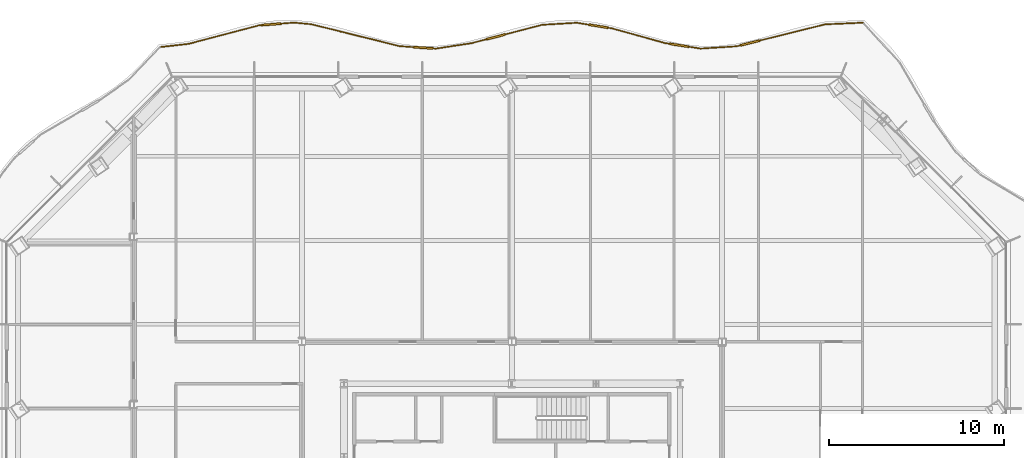
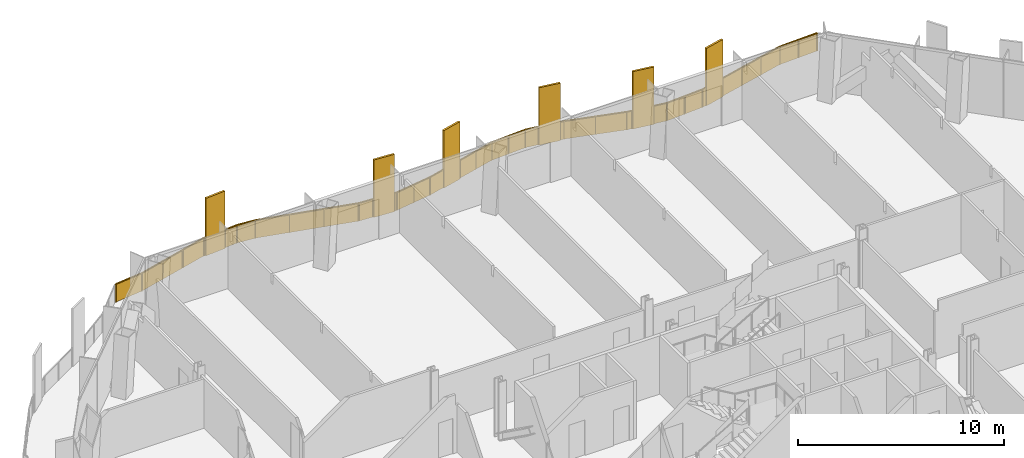
# One storey, part 21 of 22: 1 railing.
"""IFC4 building model written with IfcOpenShell, lengths in metres."""

from ifc_helpers import new_model, si_unit, direction, frame, origin, origin_2d, place, context, subcontext, project, spatial, polyline, rectangle, outline, extrude, material, type_object, element, save


model = new_model("IFC4")

# Units and contexts
model_context = context("Model", 3, precision=1e-05, world=origin(), true_north=direction((0.0, 1.0)))
body_context = subcontext(model_context, "Body", "Model", "MODEL_VIEW")
ifc_project = project(units=[si_unit("LENGTHUNIT", "METRE"), si_unit("AREAUNIT", "SQUARE_METRE"), si_unit("VOLUMEUNIT", "CUBIC_METRE"), si_unit("PLANEANGLEUNIT", "RADIAN"), si_unit("MASSUNIT", "GRAM", prefix="KILO")], contexts=[model_context])

# Site, building, storey
site_placement = place(None, origin())
site = spatial("IfcSite", under=ifc_project, at=site_placement, CompositionType="ELEMENT")
building_placement = place(site_placement, origin())
building = spatial("IfcBuilding", under=site, at=building_placement, Name="Cairn Pilgrim Tower", CompositionType="ELEMENT")
storey_placement = place(building_placement, frame((0.0, 0.0, 112.199951171875)))
storey = spatial("IfcBuildingStorey", under=building, at=storey_placement, Name="L27", CompositionType="ELEMENT", Elevation=112.199951171875)

# Railing
ifc_material = material(Name="Bronze anodised aluminium rail, posts and fin screens with laminated glass infill", Category="aluminium")
railing_type = type_object("IfcRailingType", Name="BALCONY GUARD WITH FIN SCREENS", PredefinedType="GUARDRAIL", material=ifc_material)
railing_placement = place(storey_placement, frame((27.255859375, 31.42626953125, 0.0)))
element("IfcRailing", 1, at=railing_placement, inside=storey, type_object=railing_type, Name="Balcony guard BGF-5 with fin screens", PredefinedType="GUARDRAIL", context=body_context, shape_type="SweptSolid", body=[
    extrude(rectangle(XDim=0.050048828125, YDim=0.050048828125, at=origin_2d()), frame((0.0, 0.0, 1.0751953125), z_axis=(-0.999059131571, -0.043368786296, 0.0), x_axis=(0.043368786296, -0.999059131571, 0.0)), (0.0, 0.0, 1.0), 2.167236328125),
    extrude(rectangle(XDim=1.10009765625, YDim=0.110107421875, at=origin_2d()), frame((-6.455810546875, -1.159423828125, 0.0), z_axis=(0.0, 0.0, 1.0), x_axis=(-0.970522085341, -0.24101220273, 0.0)), (0.0, 0.0, 1.0), 3.39990234375),
    extrude(rectangle(XDim=0.050048828125, YDim=0.050048828125, at=origin_2d()), frame((-2.165283203125, -0.093994140625, 1.0751953125), z_axis=(-0.970522085341, -0.24101220273, 0.0), x_axis=(0.24101220273, -0.970522085341, 0.0)), (0.0, 0.0, 1.0), 3.870849609375),
    extrude(rectangle(XDim=0.050048828125, YDim=0.050048828125, at=origin_2d()), frame((-6.989501953125, -1.2919921875, 1.0751953125), z_axis=(-0.970522085341, -0.24101220273, 0.0), x_axis=(0.24101220273, -0.970522085341, 0.0)), (0.0, 0.0, 1.0), 0.23388671875),
    extrude(rectangle(XDim=0.050048828125, YDim=0.050048828125, at=origin_2d()), frame((-7.216552734375, -1.348388671875, 1.0751953125), z_axis=(-0.997955239955, -0.063916657035, 0.0), x_axis=(0.063916657035, -0.997955239955, 0.0)), (0.0, 0.0, 1.0), 2.054931640625),
    extrude(rectangle(XDim=1.10009765625, YDim=0.110107421875, at=origin_2d()), frame((-10.498291015625, -1.28955078125, 0.0), z_axis=(0.0, 0.0, 1.0), x_axis=(-0.988269221093, 0.152721794906, 0.0)), (0.0, 0.0, 1.0), 3.39990234375),
    extrude(rectangle(XDim=0.050048828125, YDim=0.050048828125, at=origin_2d()), frame((-9.267333984375, -1.479736328125, 1.0751953125), z_axis=(-0.988269221093, 0.152721794906, 0.0), x_axis=(-0.152721794906, -0.988269221093, 0.0)), (0.0, 0.0, 1.0), 0.695556640625),
    extrude(rectangle(XDim=0.050048828125, YDim=0.050048828125, at=origin_2d()), frame((-11.0419921875, -1.20556640625, 1.0751953125), z_axis=(-0.988269221093, 0.152721794906, 0.0), x_axis=(-0.152721794906, -0.988269221093, 0.0)), (0.0, 0.0, 1.0), 0.274658203125),
    extrude(rectangle(XDim=0.050048828125, YDim=0.050048828125, at=origin_2d()), frame((-11.313232421875, -1.16357421875, 1.0751953125), z_axis=(-0.963612338145, 0.267303688293, 0.0), x_axis=(-0.267303688293, -0.963612338145, 0.0)), (0.0, 0.0, 1.0), 3.146484375),
    extrude(rectangle(XDim=1.10009765625, YDim=0.110107421875, at=origin_2d()), frame((-15.11572265625, -0.19970703125, 0.0), z_axis=(0.0, 0.0, 1.0), x_axis=(-0.987543657243, 0.157345241549, 0.0)), (0.0, 0.0, 1.0), 3.39990234375),
    extrude(rectangle(XDim=0.050048828125, YDim=0.050048828125, at=origin_2d()), frame((-14.34521484375, -0.322509765625, 1.0751953125), z_axis=(-0.987543657243, 0.157345241549, 0.0), x_axis=(-0.157345241549, -0.987543657243, 0.0)), (0.0, 0.0, 1.0), 0.230224609375),
    extrude(rectangle(XDim=0.050048828125, YDim=0.050048828125, at=origin_2d()), frame((-15.658935546875, -0.11328125, 1.0751953125), z_axis=(-0.987543657243, 0.157345241549, 0.0), x_axis=(-0.157345241549, -0.987543657243, 0.0)), (0.0, 0.0, 1.0), 0.69140625),
    extrude(rectangle(XDim=0.050048828125, YDim=0.050048828125, at=origin_2d()), frame((-16.341796875, -0.00439453125, 1.0751953125), z_axis=(-0.99830632135, -0.058176359053, 0.0), x_axis=(0.058176359053, -0.99830632135, 0.0)), (0.0, 0.0, 1.0), 1.993408203125),
    extrude(rectangle(XDim=1.10009765625, YDim=0.110107421875, at=origin_2d()), frame((-20.970703125, -0.807861328125, 0.0), z_axis=(0.0, 0.0, 1.0), x_axis=(-0.967701772599, -0.252097757445, 0.0)), (0.0, 0.0, 1.0), 3.39990234375),
    extrude(rectangle(XDim=0.050048828125, YDim=0.050048828125, at=origin_2d()), frame((-18.331787109375, -0.120361328125, 1.0751953125), z_axis=(-0.967701772599, -0.252097757445, 0.0), x_axis=(0.252097757445, -0.967701772599, 0.0)), (0.0, 0.0, 1.0), 2.177001953125),
    extrude(rectangle(XDim=0.050048828125, YDim=0.050048828125, at=origin_2d()), frame((-21.503173828125, -0.946533203125, 1.0751953125), z_axis=(-0.967701772599, -0.252097757445, 0.0), x_axis=(0.252097757445, -0.967701772599, 0.0)), (0.0, 0.0, 1.0), 0.89306640625),
    extrude(rectangle(XDim=0.050048828125, YDim=0.050048828125, at=origin_2d()), frame((-22.3671875, -1.171630859375, 1.0751953125), z_axis=(-0.98873456971, -0.149679493122, 0.0), x_axis=(0.149679493122, -0.98873456971, 0.0)), (0.0, 0.0, 1.0), 2.068115234375),
    extrude(rectangle(XDim=1.10009765625, YDim=0.110107421875, at=origin_2d()), frame((-25.110595703125, -1.43408203125, 0.0), z_axis=(0.0, 0.0, 1.0), x_axis=(-0.99772963034, 0.067346750048, 0.0)), (0.0, 0.0, 1.0), 3.39990234375),
    extrude(rectangle(XDim=0.050048828125, YDim=0.050048828125, at=origin_2d()), frame((-24.412109375, -1.481201171875, 1.0751953125), z_axis=(-0.99772963034, 0.067346750048, 0.0), x_axis=(-0.067346750048, -0.99772963034, 0.0)), (0.0, 0.0, 1.0), 0.150146484375),
    extrude(rectangle(XDim=0.050048828125, YDim=0.050048828125, at=origin_2d()), frame((-25.659423828125, -1.39697265625, 1.0751953125), z_axis=(-0.99772963034, 0.067346750048, 0.0), x_axis=(-0.067346750048, -0.99772963034, 0.0)), (0.0, 0.0, 1.0), 0.805419921875),
    extrude(rectangle(XDim=0.050048828125, YDim=0.050048828125, at=origin_2d()), frame((-26.462890625, -1.3427734375, 1.0751953125), z_axis=(-0.970557475372, 0.24086964732, 0.0), x_axis=(-0.24086964732, -0.970557475372, 0.0)), (0.0, 0.0, 1.0), 5.207763671875),
    extrude(rectangle(XDim=0.050048828125, YDim=0.050048828125, at=origin_2d()), frame((-31.517333984375, -0.08837890625, 1.0751953125), z_axis=(-0.995676342666, 0.092890369014, 0.0), x_axis=(-0.092890369014, -0.995676342666, 0.0)), (0.0, 0.0, 1.0), 0.990966796875),
    extrude(rectangle(XDim=1.10009765625, YDim=0.110107421875, at=origin_2d()), frame((-33.80078125, -0.095947265625, 0.0), z_axis=(0.0, 0.0, 1.0), x_axis=(-0.997068823954, -0.076509870593, 0.0)), (0.0, 0.0, 1.0), 3.39990234375),
    extrude(rectangle(XDim=0.050048828125, YDim=0.050048828125, at=origin_2d()), frame((-32.50390625, 0.003662109375, 1.0751953125), z_axis=(-0.997068823954, -0.076509870593, 0.0), x_axis=(0.076509870593, -0.997068823954, 0.0)), (0.0, 0.0, 1.0), 0.750732421875),
    extrude(rectangle(XDim=0.050048828125, YDim=0.050048828125, at=origin_2d()), frame((-34.34912109375, -0.137939453125, 1.0751953125), z_axis=(-0.997068823954, -0.076509870593, 0.0), x_axis=(0.076509870593, -0.997068823954, 0.0)), (0.0, 0.0, 1.0), 0.14990234375),
    extrude(rectangle(XDim=0.050048828125, YDim=0.050048828125, at=origin_2d()), frame((-34.498779296875, -0.1494140625, 1.0751953125), z_axis=(-0.967106328694, -0.254372461167, 0.0), x_axis=(0.254372461167, -0.967106328694, 0.0)), (0.0, 0.0, 1.0), 4.177001953125),
    extrude(rectangle(XDim=0.050048828125, YDim=0.050048828125, at=origin_2d()), frame((-38.538330078125, -1.2119140625, 1.0751953125), z_axis=(-0.993737340819, -0.111741207538, 0.0), x_axis=(0.111741207538, -0.993737340819, 0.0)), (0.0, 0.0, 1.0), 1.5751953125),
    extrude(rectangle(XDim=0.050048828125, YDim=0.050048828125, at=origin_2d()), origin(), (0.0, 0.0, 1.0), 1.050048828125),
    extrude(rectangle(XDim=0.050048828125, YDim=0.050048828125, at=origin_2d()), frame((-1.08251953125, -0.046875, 0.0)), (0.0, 0.0, 1.0), 1.050048828125),
    extrude(rectangle(XDim=0.050048828125, YDim=0.050048828125, at=origin_2d()), frame((-2.165283203125, -0.093994140625, 0.0)), (0.0, 0.0, 1.0), 1.050048828125),
    extrude(rectangle(XDim=0.050048828125, YDim=0.050048828125, at=origin_2d()), frame((-3.409423828125, -0.40283203125, 0.0)), (0.0, 0.0, 1.0), 1.050048828125),
    extrude(rectangle(XDim=0.050048828125, YDim=0.050048828125, at=origin_2d()), frame((-4.653564453125, -0.7119140625, 0.0)), (0.0, 0.0, 1.0), 1.050048828125),
    extrude(rectangle(XDim=0.050048828125, YDim=0.050048828125, at=origin_2d()), frame((-5.897705078125, -1.020751953125, 0.0)), (0.0, 0.0, 1.0), 1.050048828125),
    extrude(rectangle(XDim=0.050048828125, YDim=0.050048828125, at=origin_2d()), frame((-7.013916015625, -1.298095703125, 0.0)), (0.0, 0.0, 1.0), 1.050048828125),
    extrude(rectangle(XDim=0.050048828125, YDim=0.050048828125, at=origin_2d()), frame((-7.216552734375, -1.348388671875, 0.0)), (0.0, 0.0, 1.0), 1.050048828125),
    extrude(rectangle(XDim=0.050048828125, YDim=0.050048828125, at=origin_2d()), frame((-8.241943359375, -1.4140625, 0.0)), (0.0, 0.0, 1.0), 1.050048828125),
    extrude(rectangle(XDim=0.050048828125, YDim=0.050048828125, at=origin_2d()), frame((-9.267333984375, -1.479736328125, 0.0)), (0.0, 0.0, 1.0), 1.050048828125),
    extrude(rectangle(XDim=0.050048828125, YDim=0.050048828125, at=origin_2d()), frame((-9.929931640625, -1.37744140625, 0.0)), (0.0, 0.0, 1.0), 1.050048828125),
    extrude(rectangle(XDim=0.050048828125, YDim=0.050048828125, at=origin_2d()), frame((-11.066650390625, -1.20166015625, 0.0)), (0.0, 0.0, 1.0), 1.050048828125),
    extrude(rectangle(XDim=0.050048828125, YDim=0.050048828125, at=origin_2d()), frame((-11.313232421875, -1.16357421875, 0.0)), (0.0, 0.0, 1.0), 1.050048828125),
    extrude(rectangle(XDim=0.050048828125, YDim=0.050048828125, at=origin_2d()), frame((-12.8291015625, -0.7431640625, 0.0)), (0.0, 0.0, 1.0), 1.050048828125),
    extrude(rectangle(XDim=0.050048828125, YDim=0.050048828125, at=origin_2d()), frame((-14.34521484375, -0.322509765625, 0.0)), (0.0, 0.0, 1.0), 1.050048828125),
    extrude(rectangle(XDim=0.050048828125, YDim=0.050048828125, at=origin_2d()), frame((-14.548095703125, -0.290283203125, 0.0)), (0.0, 0.0, 1.0), 1.050048828125),
    extrude(rectangle(XDim=0.050048828125, YDim=0.050048828125, at=origin_2d()), frame((-15.68359375, -0.109130859375, 0.0)), (0.0, 0.0, 1.0), 1.050048828125),
    extrude(rectangle(XDim=0.050048828125, YDim=0.050048828125, at=origin_2d()), frame((-16.341796875, -0.00439453125, 0.0)), (0.0, 0.0, 1.0), 1.050048828125),
    extrude(rectangle(XDim=0.050048828125, YDim=0.050048828125, at=origin_2d()), frame((-17.3369140625, -0.0625, 0.0)), (0.0, 0.0, 1.0), 1.050048828125),
    extrude(rectangle(XDim=0.050048828125, YDim=0.050048828125, at=origin_2d()), frame((-18.331787109375, -0.120361328125, 0.0)), (0.0, 0.0, 1.0), 1.050048828125),
    extrude(rectangle(XDim=0.050048828125, YDim=0.050048828125, at=origin_2d()), frame((-19.373046875, -0.3916015625, 0.0)), (0.0, 0.0, 1.0), 1.050048828125),
    extrude(rectangle(XDim=0.050048828125, YDim=0.050048828125, at=origin_2d()), frame((-20.414306640625, -0.662841796875, 0.0)), (0.0, 0.0, 1.0), 1.050048828125),
    extrude(rectangle(XDim=0.050048828125, YDim=0.050048828125, at=origin_2d()), frame((-21.52734375, -0.952880859375, 0.0)), (0.0, 0.0, 1.0), 1.050048828125),
    extrude(rectangle(XDim=0.050048828125, YDim=0.050048828125, at=origin_2d()), frame((-22.3671875, -1.171630859375, 0.0)), (0.0, 0.0, 1.0), 1.050048828125),
    extrude(rectangle(XDim=0.050048828125, YDim=0.050048828125, at=origin_2d()), frame((-23.3896484375, -1.326416015625, 0.0)), (0.0, 0.0, 1.0), 1.050048828125),
    extrude(rectangle(XDim=0.050048828125, YDim=0.050048828125, at=origin_2d()), frame((-24.412109375, -1.481201171875, 0.0)), (0.0, 0.0, 1.0), 1.050048828125),
    extrude(rectangle(XDim=0.050048828125, YDim=0.050048828125, at=origin_2d()), frame((-24.536865234375, -1.47265625, 0.0)), (0.0, 0.0, 1.0), 1.050048828125),
    extrude(rectangle(XDim=0.050048828125, YDim=0.050048828125, at=origin_2d()), frame((-25.684326171875, -1.395263671875, 0.0)), (0.0, 0.0, 1.0), 1.050048828125),
    extrude(rectangle(XDim=0.050048828125, YDim=0.050048828125, at=origin_2d()), frame((-26.462890625, -1.3427734375, 0.0)), (0.0, 0.0, 1.0), 1.050048828125),
    extrude(rectangle(XDim=0.050048828125, YDim=0.050048828125, at=origin_2d()), frame((-28.147705078125, -0.924560546875, 0.0)), (0.0, 0.0, 1.0), 1.050048828125),
    extrude(rectangle(XDim=0.050048828125, YDim=0.050048828125, at=origin_2d()), frame((-29.83251953125, -0.506591796875, 0.0)), (0.0, 0.0, 1.0), 1.050048828125),
    extrude(rectangle(XDim=0.050048828125, YDim=0.050048828125, at=origin_2d()), frame((-31.517333984375, -0.08837890625, 0.0)), (0.0, 0.0, 1.0), 1.050048828125),
    extrude(rectangle(XDim=0.050048828125, YDim=0.050048828125, at=origin_2d()), frame((-32.50390625, 0.003662109375, 0.0)), (0.0, 0.0, 1.0), 1.050048828125),
    extrude(rectangle(XDim=0.050048828125, YDim=0.050048828125, at=origin_2d()), frame((-33.2275390625, -0.0517578125, 0.0)), (0.0, 0.0, 1.0), 1.050048828125),
    extrude(rectangle(XDim=0.050048828125, YDim=0.050048828125, at=origin_2d()), frame((-34.374267578125, -0.139892578125, 0.0)), (0.0, 0.0, 1.0), 1.050048828125),
    extrude(rectangle(XDim=0.050048828125, YDim=0.050048828125, at=origin_2d()), frame((-34.498779296875, -0.1494140625, 0.0)), (0.0, 0.0, 1.0), 1.050048828125),
    extrude(rectangle(XDim=0.050048828125, YDim=0.050048828125, at=origin_2d()), frame((-35.84521484375, -0.503662109375, 0.0)), (0.0, 0.0, 1.0), 1.050048828125),
    extrude(rectangle(XDim=0.050048828125, YDim=0.050048828125, at=origin_2d()), frame((-37.19189453125, -0.857666015625, 0.0)), (0.0, 0.0, 1.0), 1.050048828125),
    extrude(rectangle(XDim=0.050048828125, YDim=0.050048828125, at=origin_2d()), frame((-38.538330078125, -1.2119140625, 0.0)), (0.0, 0.0, 1.0), 1.050048828125),
    extrude(rectangle(XDim=0.050048828125, YDim=0.050048828125, at=origin_2d()), frame((-40.103759765625, -1.387939453125, 0.0)), (0.0, 0.0, 1.0), 1.050048828125),
    extrude(outline(polyline([(0.02490234375, 0.0), (1.05859375, 0.0), (1.05859375, 1.050048828125), (0.02490234375, 1.050048828125), (0.02490234375, 0.0)])), frame((0.000244140625, -0.005859375, 0.0), z_axis=(-0.043368786296, 0.999059131571, 0.0), x_axis=(-0.999059131571, -0.043368786296, 0.0)), (0.0, 0.0, 1.0), 0.011962890625),
    extrude(outline(polyline([(0.02490234375, 0.0), (1.05859375, 0.0), (1.05859375, 1.050048828125), (0.02490234375, 1.050048828125), (0.02490234375, 0.0)])), frame((-1.082275390625, -0.052978515625, 0.0), z_axis=(-0.043368786296, 0.999059131571, 0.0), x_axis=(-0.999059131571, -0.043368786296, 0.0)), (0.0, 0.0, 1.0), 0.011962890625),
    extrude(outline(polyline([(0.02490234375, 0.0), (1.2568359375, 0.0), (1.2568359375, 1.050048828125), (0.02490234375, 1.050048828125), (0.02490234375, 0.0)])), frame((-2.163818359375, -0.099853515625, 0.0), z_axis=(-0.24101220273, 0.970522085341, 0.0), x_axis=(-0.970522085341, -0.24101220273, 0.0)), (0.0, 0.0, 1.0), 0.011962890625),
    extrude(outline(polyline([(0.02490234375, 0.0), (1.2568359375, 0.0), (1.2568359375, 1.050048828125), (0.02490234375, 1.050048828125), (0.02490234375, 0.0)])), frame((-3.407958984375, -0.40869140625, 0.0), z_axis=(-0.24101220273, 0.970522085341, 0.0), x_axis=(-0.970522085341, -0.24101220273, 0.0)), (0.0, 0.0, 1.0), 0.011962890625),
    extrude(outline(polyline([(0.02490234375, 0.0), (1.2568359375, 0.0), (1.2568359375, 1.050048828125), (0.02490234375, 1.050048828125), (0.02490234375, 0.0)])), frame((-4.652099609375, -0.7177734375, 0.0), z_axis=(-0.24101220273, 0.970522085341, 0.0), x_axis=(-0.970522085341, -0.24101220273, 0.0)), (0.0, 0.0, 1.0), 0.011962890625),
    extrude(outline(polyline([(0.02490234375, 0.0), (0.183837890625, 0.0), (0.183837890625, 1.050048828125), (0.02490234375, 1.050048828125), (0.02490234375, 0.0)])), frame((-7.012451171875, -1.303955078125, 0.0), z_axis=(-0.24101220273, 0.970522085341, 0.0), x_axis=(-0.970522085341, -0.24101220273, 0.0)), (0.0, 0.0, 1.0), 0.011962890625),
    extrude(outline(polyline([(0.02490234375, 0.0), (1.00244140625, 0.0), (1.00244140625, 1.050048828125), (0.02490234375, 1.050048828125), (0.02490234375, 0.0)])), frame((-7.216064453125, -1.354248046875, 0.0), z_axis=(-0.063916657035, 0.997955239955, 0.0), x_axis=(-0.997955239955, -0.063916657035, 0.0)), (0.0, 0.0, 1.0), 0.011962890625),
    extrude(outline(polyline([(0.02490234375, 0.0), (1.00244140625, 0.0), (1.00244140625, 1.050048828125), (0.02490234375, 1.050048828125), (0.02490234375, 0.0)])), frame((-8.241455078125, -1.419921875, 0.0), z_axis=(-0.063916657035, 0.997955239955, 0.0), x_axis=(-0.997955239955, -0.063916657035, 0.0)), (0.0, 0.0, 1.0), 0.011962890625),
    extrude(outline(polyline([(0.02490234375, 0.0), (0.6455078125, 0.0), (0.6455078125, 1.050048828125), (0.02490234375, 1.050048828125), (0.02490234375, 0.0)])), frame((-9.268310546875, -1.485595703125, 0.0), z_axis=(0.152721794906, 0.988269221093, 0.0), x_axis=(-0.988269221093, 0.152721794906, 0.0)), (0.0, 0.0, 1.0), 0.011962890625),
    extrude(outline(polyline([(0.02490234375, 0.0), (0.224609375, 0.0), (0.224609375, 1.050048828125), (0.02490234375, 1.050048828125), (0.02490234375, 0.0)])), frame((-11.067626953125, -1.20751953125, 0.0), z_axis=(0.152721794906, 0.988269221093, 0.0), x_axis=(-0.988269221093, 0.152721794906, 0.0)), (0.0, 0.0, 1.0), 0.011962890625),
    extrude(outline(polyline([(0.02490234375, 0.0), (1.548095703125, 0.0), (1.548095703125, 1.050048828125), (0.02490234375, 1.050048828125), (0.02490234375, 0.0)])), frame((-11.31494140625, -1.16943359375, 0.0), z_axis=(0.267303688293, 0.963612338145, 0.0), x_axis=(-0.963612338145, 0.267303688293, 0.0)), (0.0, 0.0, 1.0), 0.011962890625),
    extrude(outline(polyline([(0.02490234375, 0.0), (1.548095703125, 0.0), (1.548095703125, 1.050048828125), (0.02490234375, 1.050048828125), (0.02490234375, 0.0)])), frame((-12.830810546875, -0.748779296875, 0.0), z_axis=(0.267303688293, 0.963612338145, 0.0), x_axis=(-0.963612338145, 0.267303688293, 0.0)), (0.0, 0.0, 1.0), 0.011962890625),
    extrude(outline(polyline([(0.02490234375, 0.0), (0.18017578125, 0.0), (0.18017578125, 1.050048828125), (0.02490234375, 1.050048828125), (0.02490234375, 0.0)])), frame((-14.34619140625, -0.328369140625, 0.0), z_axis=(0.157345241549, 0.987543657243, 0.0), x_axis=(-0.987543657243, 0.157345241549, 0.0)), (0.0, 0.0, 1.0), 0.011962890625),
    extrude(outline(polyline([(0.02490234375, 0.0), (0.641357421875, 0.0), (0.641357421875, 1.050048828125), (0.02490234375, 1.050048828125), (0.02490234375, 0.0)])), frame((-15.6845703125, -0.115234375, 0.0), z_axis=(0.157345241549, 0.987543657243, 0.0), x_axis=(-0.987543657243, 0.157345241549, 0.0)), (0.0, 0.0, 1.0), 0.011962890625),
    extrude(outline(polyline([(0.02490234375, 0.0), (0.9716796875, 0.0), (0.9716796875, 1.050048828125), (0.02490234375, 1.050048828125), (0.02490234375, 0.0)])), frame((-16.341552734375, -0.01025390625, 0.0), z_axis=(-0.058176359053, 0.99830632135, 0.0), x_axis=(-0.99830632135, -0.058176359053, 0.0)), (0.0, 0.0, 1.0), 0.011962890625),
    extrude(outline(polyline([(0.02490234375, 0.0), (0.9716796875, 0.0), (0.9716796875, 1.050048828125), (0.02490234375, 1.050048828125), (0.02490234375, 0.0)])), frame((-17.33642578125, -0.068359375, 0.0), z_axis=(-0.058176359053, 0.99830632135, 0.0), x_axis=(-0.99830632135, -0.058176359053, 0.0)), (0.0, 0.0, 1.0), 0.011962890625),
    extrude(outline(polyline([(0.02490234375, 0.0), (1.051025390625, 0.0), (1.051025390625, 1.050048828125), (0.02490234375, 1.050048828125), (0.02490234375, 0.0)])), frame((-18.330322265625, -0.126220703125, 0.0), z_axis=(-0.252097757445, 0.967701772599, 0.0), x_axis=(-0.967701772599, -0.252097757445, 0.0)), (0.0, 0.0, 1.0), 0.011962890625),
    extrude(outline(polyline([(0.02490234375, 0.0), (1.051025390625, 0.0), (1.051025390625, 1.050048828125), (0.02490234375, 1.050048828125), (0.02490234375, 0.0)])), frame((-19.37158203125, -0.3974609375, 0.0), z_axis=(-0.252097757445, 0.967701772599, 0.0), x_axis=(-0.967701772599, -0.252097757445, 0.0)), (0.0, 0.0, 1.0), 0.011962890625),
    extrude(outline(polyline([(0.02490234375, 0.0), (0.843017578125, 0.0), (0.843017578125, 1.050048828125), (0.02490234375, 1.050048828125), (0.02490234375, 0.0)])), frame((-21.52587890625, -0.95849609375, 0.0), z_axis=(-0.252097757445, 0.967701772599, 0.0), x_axis=(-0.967701772599, -0.252097757445, 0.0)), (0.0, 0.0, 1.0), 0.011962890625),
    extrude(outline(polyline([(0.02490234375, 0.0), (1.009033203125, 0.0), (1.009033203125, 1.050048828125), (0.02490234375, 1.050048828125), (0.02490234375, 0.0)])), frame((-22.3662109375, -1.177490234375, 0.0), z_axis=(-0.149679493122, 0.98873456971, 0.0), x_axis=(-0.98873456971, -0.149679493122, 0.0)), (0.0, 0.0, 1.0), 0.011962890625),
    extrude(outline(polyline([(0.02490234375, 0.0), (1.009033203125, 0.0), (1.009033203125, 1.050048828125), (0.02490234375, 1.050048828125), (0.02490234375, 0.0)])), frame((-23.388671875, -1.332275390625, 0.0), z_axis=(-0.149679493122, 0.98873456971, 0.0), x_axis=(-0.98873456971, -0.149679493122, 0.0)), (0.0, 0.0, 1.0), 0.011962890625),
    extrude(outline(polyline([(0.02490234375, 0.0), (0.10009765625, 0.0), (0.10009765625, 1.050048828125), (0.02490234375, 1.050048828125), (0.02490234375, 0.0)])), frame((-24.41259765625, -1.487060546875, 0.0), z_axis=(0.067346750048, 0.99772963034, 0.0), x_axis=(-0.99772963034, 0.067346750048, 0.0)), (0.0, 0.0, 1.0), 0.011962890625),
    extrude(outline(polyline([(0.02490234375, 0.0), (0.75537109375, 0.0), (0.75537109375, 1.050048828125), (0.02490234375, 1.050048828125), (0.02490234375, 0.0)])), frame((-25.684814453125, -1.4013671875, 0.0), z_axis=(0.067346750048, 0.99772963034, 0.0), x_axis=(-0.99772963034, 0.067346750048, 0.0)), (0.0, 0.0, 1.0), 0.011962890625),
    extrude(outline(polyline([(0.02490234375, 0.0), (1.7109375, 0.0), (1.7109375, 1.050048828125), (0.02490234375, 1.050048828125), (0.02490234375, 0.0)])), frame((-26.46435546875, -1.3486328125, 0.0), z_axis=(0.24086964732, 0.970557475372, 0.0), x_axis=(-0.970557475372, 0.24086964732, 0.0)), (0.0, 0.0, 1.0), 0.011962890625),
    extrude(outline(polyline([(0.02490234375, 0.0), (1.7109375, 0.0), (1.7109375, 1.050048828125), (0.02490234375, 1.050048828125), (0.02490234375, 0.0)])), frame((-28.149169921875, -0.930419921875, 0.0), z_axis=(0.24086964732, 0.970557475372, 0.0), x_axis=(-0.970557475372, 0.24086964732, 0.0)), (0.0, 0.0, 1.0), 0.011962890625),
    extrude(outline(polyline([(0.02490234375, 0.0), (1.7109375, 0.0), (1.7109375, 1.050048828125), (0.02490234375, 1.050048828125), (0.02490234375, 0.0)])), frame((-29.833984375, -0.51220703125, 0.0), z_axis=(0.24086964732, 0.970557475372, 0.0), x_axis=(-0.970557475372, 0.24086964732, 0.0)), (0.0, 0.0, 1.0), 0.011962890625),
    extrude(outline(polyline([(0.02490234375, 0.0), (0.9658203125, 0.0), (0.9658203125, 1.050048828125), (0.02490234375, 1.050048828125), (0.02490234375, 0.0)])), frame((-31.517822265625, -0.09423828125, 0.0), z_axis=(0.092890369014, 0.995676342666, 0.0), x_axis=(-0.995676342666, 0.092890369014, 0.0)), (0.0, 0.0, 1.0), 0.011962890625),
    extrude(outline(polyline([(0.02490234375, 0.0), (0.70068359375, 0.0), (0.70068359375, 1.050048828125), (0.02490234375, 1.050048828125), (0.02490234375, 0.0)])), frame((-32.50341796875, -0.002197265625, 0.0), z_axis=(-0.076509870593, 0.997068823954, 0.0), x_axis=(-0.997068823954, -0.076509870593, 0.0)), (0.0, 0.0, 1.0), 0.011962890625),
    extrude(outline(polyline([(0.02490234375, 0.0), (0.099853515625, 0.0), (0.099853515625, 1.050048828125), (0.02490234375, 1.050048828125), (0.02490234375, 0.0)])), frame((-34.373779296875, -0.145751953125, 0.0), z_axis=(-0.076509870593, 0.997068823954, 0.0), x_axis=(-0.997068823954, -0.076509870593, 0.0)), (0.0, 0.0, 1.0), 0.011962890625),
    extrude(outline(polyline([(0.02490234375, 0.0), (1.3671875, 0.0), (1.3671875, 1.050048828125), (0.02490234375, 1.050048828125), (0.02490234375, 0.0)])), frame((-34.497314453125, -0.1552734375, 0.0), z_axis=(-0.254372461167, 0.967106328694, 0.0), x_axis=(-0.967106328694, -0.254372461167, 0.0)), (0.0, 0.0, 1.0), 0.011962890625),
    extrude(outline(polyline([(0.02490234375, 0.0), (1.3671875, 0.0), (1.3671875, 1.050048828125), (0.02490234375, 1.050048828125), (0.02490234375, 0.0)])), frame((-35.84375, -0.50927734375, 0.0), z_axis=(-0.254372461167, 0.967106328694, 0.0), x_axis=(-0.967106328694, -0.254372461167, 0.0)), (0.0, 0.0, 1.0), 0.011962890625),
    extrude(outline(polyline([(0.02490234375, 0.0), (1.3671875, 0.0), (1.3671875, 1.050048828125), (0.02490234375, 1.050048828125), (0.02490234375, 0.0)])), frame((-37.190185546875, -0.863525390625, 0.0), z_axis=(-0.254372461167, 0.967106328694, 0.0), x_axis=(-0.967106328694, -0.254372461167, 0.0)), (0.0, 0.0, 1.0), 0.011962890625),
    extrude(outline(polyline([(0.02490234375, 0.0), (1.55029296875, 0.0), (1.55029296875, 1.050048828125), (0.02490234375, 1.050048828125), (0.02490234375, 0.0)])), frame((-38.53759765625, -1.2177734375, 0.0), z_axis=(-0.111741207538, 0.993737340819, 0.0), x_axis=(-0.993737340819, -0.111741207538, 0.0)), (0.0, 0.0, 1.0), 0.011962890625),
])

save(model, "model.ifc")
